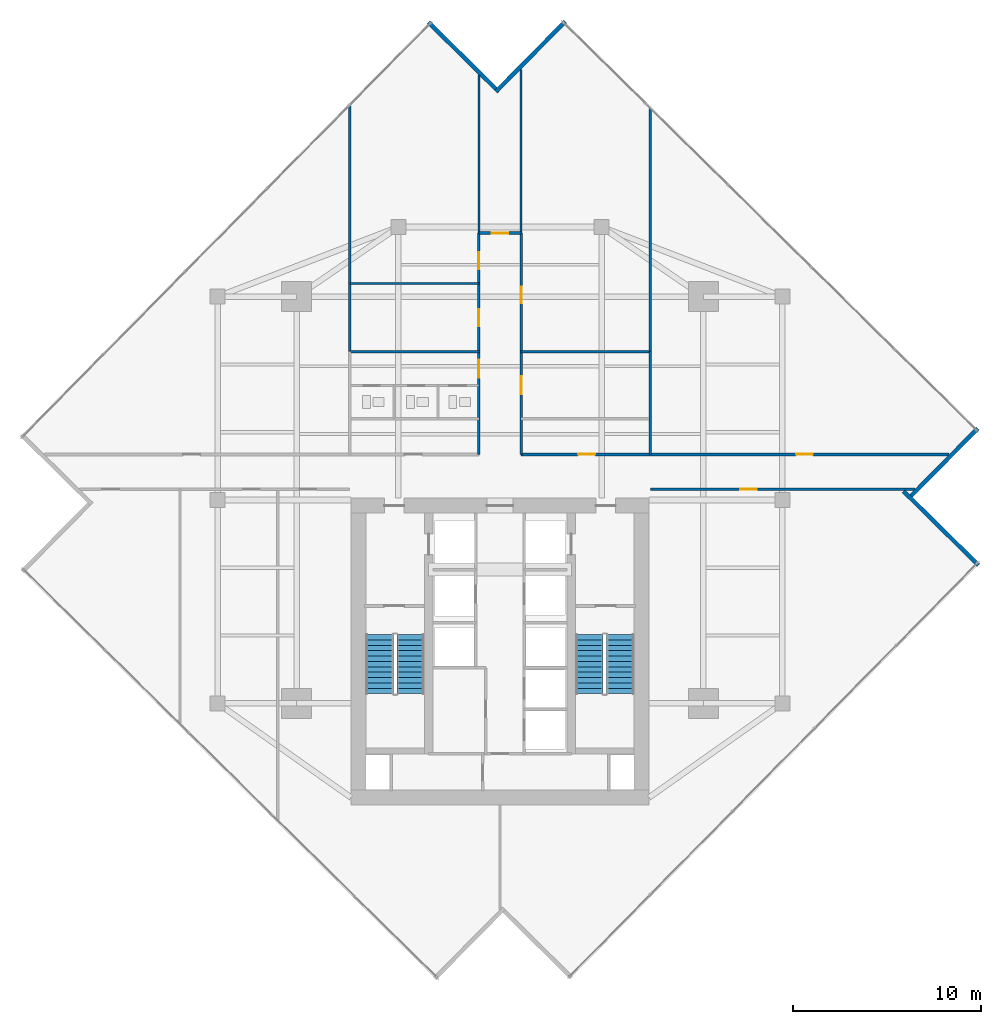
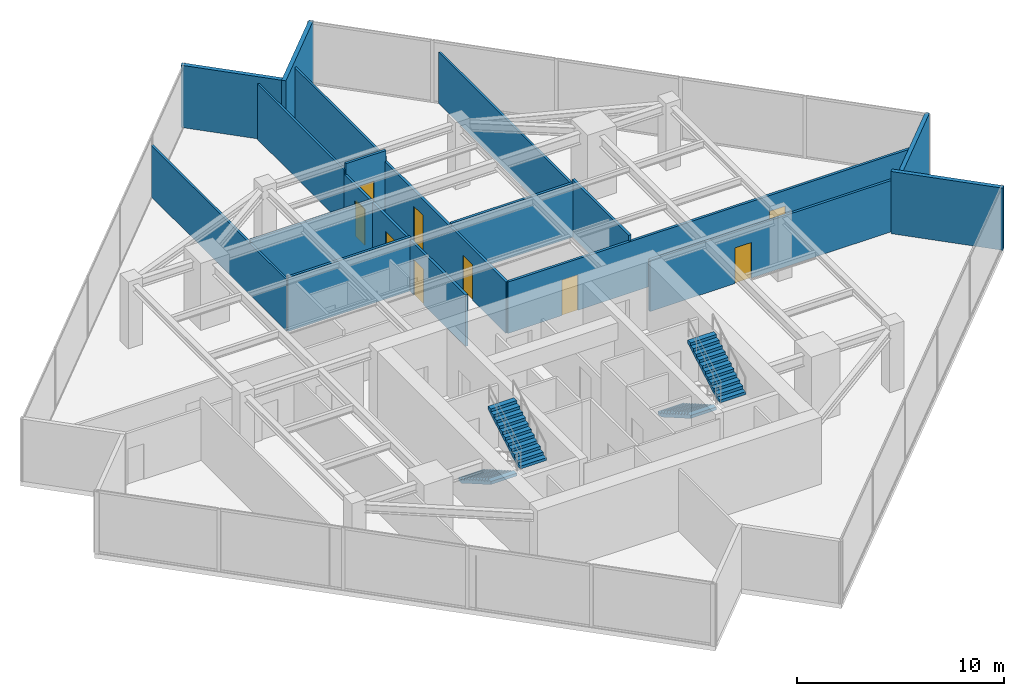
# One storey, part 22 of 24: 17 walls, 9 doors, 4 stair flights, 9 openings, 2 elements without a shape of their own.
"""IFC4 building model written with IfcOpenShell, lengths in metres."""

from ifc_helpers import new_model, si_unit, direction, frame, frame_2d, origin, place, context, subcontext, project, spatial, polyline, rectangle, outline, extrude, material, layer, layer_set, type_object, element, fill, aggregate, save


model = new_model("IFC4")

# Units and contexts
model_context = context("Model", 3, precision=1e-05, world=origin(), true_north=direction((0.0, 1.0)))
body_context = subcontext(model_context, "Body", "Model", "MODEL_VIEW")
ifc_project = project(units=[si_unit("LENGTHUNIT", "METRE"), si_unit("AREAUNIT", "SQUARE_METRE"), si_unit("VOLUMEUNIT", "CUBIC_METRE"), si_unit("PLANEANGLEUNIT", "RADIAN"), si_unit("MASSUNIT", "GRAM", prefix="KILO")], contexts=[model_context])

# Site, building, storey
site_placement = place(None, origin())
site = spatial("IfcSite", under=ifc_project, at=site_placement, CompositionType="ELEMENT")
building_placement = place(site_placement, origin())
building = spatial("IfcBuilding", under=site, at=building_placement, Name="Krantzveldt Concourse Tower", CompositionType="ELEMENT")
storey_placement = place(building_placement, frame((0.0, 0.0, 231.0)))
storey = spatial("IfcBuildingStorey", under=building, at=storey_placement, Name="L56", CompositionType="ELEMENT", Elevation=231.0)

# Walls
ifc_material_1 = material(Name="Anodised aluminium 6063-T6", Category="aluminium")
ifc_layer_1 = layer(ifc_material_1, 0.219970703125, Name="Anodised aluminium 6063-T6", Category="aluminium")
ifc_layer_set_1 = layer_set([ifc_layer_1], Name="Anodised aluminium 6063-T6 (WL-EXT-NOTCH220)")
wall_type_1 = type_object("IfcWallType", Name="WL-EXT-NOTCH220", PredefinedType="ELEMENTEDWALL", material=ifc_layer_set_1)
wall_1_placement = place(storey_placement, frame((35.779296875, 48.54150390625, 0.0), z_axis=(0.0, 0.0, 1.0), x_axis=(-0.711707198953, 0.70247623658, 0.0)))
element("IfcWall", 1, at=wall_1_placement, inside=storey, type_object=wall_type_1, Name="EW-L56-NCH00", PredefinedType="ELEMENTEDWALL", context=body_context, shape_type="SweptSolid", body=[
    extrude(rectangle(XDim=5.025146484375, YDim=0.219970703125, at=frame_2d((2.5126953125, 0.0))), origin(), (0.0, 0.0, 1.0), 3.669921875),
])
wall_2_placement = place(storey_placement, frame((61.4189453125, 23.2353515625, 0.0), z_axis=(0.0, 0.0, 1.0), x_axis=(-0.711721132709, 0.702462119446, 0.0)))
element("IfcWall", 2, at=wall_2_placement, inside=storey, type_object=wall_type_1, Name="EW-L56-NCH08", PredefinedType="ELEMENTEDWALL", context=body_context, shape_type="SweptSolid", body=[
    extrude(rectangle(XDim=5.590087890625, YDim=0.219970703125, at=frame_2d((2.794921875, 0.0))), origin(), (0.0, 0.0, 1.0), 3.669921875),
])
wall_3_placement = place(storey_placement, frame((57.841552734375, 26.920654296875, 0.0), z_axis=(0.0, 0.0, 1.0), x_axis=(0.702451626199, 0.711731489292, 0.0)))
element("IfcWall", 3, at=wall_3_placement, inside=storey, type_object=wall_type_1, Name="EW-L56-NCH09", PredefinedType="ELEMENTEDWALL", context=body_context, shape_type="SweptSolid", body=[
    extrude(rectangle(XDim=5.02490234375, YDim=0.219970703125, at=frame_2d((2.512451171875, 0.0))), origin(), (0.0, 0.0, 1.0), 3.669921875),
])
wall_4_placement = place(storey_placement, frame((39.464599609375, 52.118896484375, 0.0), z_axis=(0.0, 0.0, 1.0), x_axis=(-0.702460059039, -0.711723166305, 0.0)))
element("IfcWall", 4, at=wall_4_placement, inside=storey, type_object=wall_type_1, Name="EW-L56-NCH11", PredefinedType="ELEMENTEDWALL", context=body_context, shape_type="SweptSolid", body=[
    extrude(rectangle(XDim=5.244873046875, YDim=0.219970703125, at=frame_2d((2.62255859375, 0.0))), origin(), (0.0, 0.0, 1.0), 3.669921875),
])
ifc_material_2 = material(Name="Fire-rated gypsum plasterboard on steel stud", Category="steel")
ifc_layer_2 = layer(ifc_material_2, 0.1201171875, Name="Fire-rated gypsum plasterboard on steel stud", Category="steel")
ifc_layer_set_2 = layer_set([ifc_layer_2], Name="Fire-rated gypsum plasterboard on steel stud (WL-PART-120)")
wall_type_2 = type_object("IfcWallType", Name="WL-PART-120", PredefinedType="PARTITIONING", material=ifc_layer_set_2)
wall_5_placement = place(storey_placement, frame((34.8798828125, 40.8798828125, 0.0), z_axis=(0.0, 0.0, 1.0), x_axis=(0.0, 1.0, 0.0)))
element("IfcWall", 5, at=wall_5_placement, inside=storey, type_object=wall_type_2, Name="WP-L56-NTL", PredefinedType="PARTITIONING", context=body_context, shape_type="SweptSolid", body=[
    extrude(rectangle(XDim=8.3876953125, YDim=0.1201171875, at=frame_2d((4.19384765625, 0.0))), origin(), (0.0, 0.0, 1.0), 3.280029296875),
])
wall_6_placement = place(storey_placement, frame((37.1201171875, 40.8798828125, 0.0), z_axis=(0.0, 0.0, 1.0), x_axis=(0.0, 1.0, 0.0)))
element("IfcWall", 6, at=wall_6_placement, inside=storey, type_object=wall_type_2, Name="WP-L56-NTR", PredefinedType="PARTITIONING", context=body_context, shape_type="SweptSolid", body=[
    extrude(rectangle(XDim=8.69970703125, YDim=0.1201171875, at=frame_2d((4.349853515625, 0.0))), origin(), (0.0, 0.0, 1.0), 3.280029296875),
])
wall_7_placement = place(storey_placement, frame((28.02001953125, 34.580078125, 0.0), z_axis=(0.0, 0.0, 1.0), x_axis=(0.0, 1.0, 0.0)))
element("IfcWall", 7, at=wall_7_placement, inside=storey, type_object=wall_type_2, Name="WP-L56-ISWL2", PredefinedType="PARTITIONING", context=body_context, shape_type="SweptSolid", body=[
    extrude(rectangle(XDim=13.089599609375, YDim=0.1201171875, at=frame_2d((6.544921875, 0.0))), origin(), (0.0, 0.0, 1.0), 3.030029296875),
])
wall_8_placement = place(storey_placement, frame((43.97998046875, 34.580078125, 0.0), z_axis=(0.0, 0.0, 1.0), x_axis=(0.0, 1.0, 0.0)))
element("IfcWall", 8, at=wall_8_placement, inside=storey, type_object=wall_type_2, Name="WP-L56-ISER2", PredefinedType="PARTITIONING", context=body_context, shape_type="SweptSolid", body=[
    extrude(rectangle(XDim=12.920654296875, YDim=0.1201171875, at=frame_2d((6.46044921875, 0.0))), origin(), (0.0, 0.0, 1.0), 3.030029296875),
])
wall_9_placement = place(storey_placement, frame((28.02001953125, 38.199951171875, 0.0), z_axis=(0.0, 0.0, 1.0), x_axis=(1.0, 0.0, 0.0)))
element("IfcWall", 9, at=wall_9_placement, inside=storey, type_object=wall_type_2, Name="WP-L56-NWIY", PredefinedType="PARTITIONING", context=body_context, shape_type="SweptSolid", body=[
    extrude(rectangle(XDim=6.85986328125, YDim=0.1201171875, at=frame_2d((3.429931640625, 0.0))), origin(), (0.0, 0.0, 1.0), 3.179931640625),
])

# Wall, openings, doors
ifc_layer_3 = layer(ifc_material_2, 0.139892578125, Name="Fire-rated gypsum plasterboard on steel stud", Category="steel")
ifc_layer_set_3 = layer_set([ifc_layer_3], Name="Fire-rated gypsum plasterboard on steel stud (WL-PART-140)")
wall_type_3 = type_object("IfcWallType", Name="WL-PART-140", PredefinedType="PARTITIONING", material=ifc_layer_set_3)
wall_10_placement = place(storey_placement, frame((34.8798828125, 29.1201171875, 0.0), z_axis=(0.0, 0.0, 1.0), x_axis=(0.0, 1.0, 0.0)))
wall_10 = element("IfcWall", 10, at=wall_10_placement, inside=storey, type_object=wall_type_3, Name="WP-L56-SPWL", PredefinedType="PARTITIONING", context=body_context, shape_type="SweptSolid", body=[
    extrude(rectangle(XDim=11.759765625, YDim=0.139892578125, at=frame_2d((5.8798828125, 0.0))), origin(), (0.0, 0.0, 1.0), 3.030029296875),
])
opening_1_placement = place(wall_10_placement, frame((4.0849609375, 0.0, 0.0)))
opening_1 = element("IfcOpeningElement", 11, at=opening_1_placement, cuts=wall_10, Name="Opening D-IN095", PredefinedType="OPENING", context=body_context, shape_type="SweptSolid", body=[
    extrude(rectangle(XDim=0.949951171875, YDim=2.10009765625, at=frame_2d((0.47509765625, 1.050048828125))), frame((0.0, 0.080078125, 0.0), z_axis=(0.0, -1.0, 0.0), x_axis=(1.0, 0.0, 0.0)), (0.0, 0.0, 1.0), 0.159912109375),
])
opening_2_placement = place(wall_10_placement, frame((6.820068359375, 0.0, 0.0)))
opening_2 = element("IfcOpeningElement", 12, at=opening_2_placement, cuts=wall_10, Name="Opening D-IN090", PredefinedType="OPENING", context=body_context, shape_type="SweptSolid", body=[
    extrude(rectangle(XDim=0.89990234375, YDim=2.10009765625, at=frame_2d((0.449951171875, 1.050048828125))), frame((0.0, 0.080078125, 0.0), z_axis=(0.0, -1.0, 0.0), x_axis=(1.0, 0.0, 0.0)), (0.0, 0.0, 1.0), 0.159912109375),
])
opening_3_placement = place(wall_10_placement, frame((9.830078125, 0.0, 0.0)))
opening_3 = element("IfcOpeningElement", 13, at=opening_3_placement, cuts=wall_10, Name="Opening D-IN090", PredefinedType="OPENING", context=body_context, shape_type="SweptSolid", body=[
    extrude(rectangle(XDim=0.89990234375, YDim=2.10009765625, at=frame_2d((0.449951171875, 1.050048828125))), frame((0.0, 0.080078125, 0.0), z_axis=(0.0, -1.0, 0.0), x_axis=(1.0, 0.0, 0.0)), (0.0, 0.0, 1.0), 0.159912109375),
])
ifc_material_3 = material(Name="Hardwood timber", Category="wood")
door_type_1 = type_object("IfcDoorType", Name="DR-INT-900", OperationType="SINGLE_SWING_LEFT", PredefinedType="DOOR", material=ifc_material_3)
door_1_placement = place(opening_2_placement, origin())
door_1 = element("IfcDoor", 14, at=door_1_placement, inside=storey, type_object=door_type_1, Name="DR-L56-NWI1", OperationType="SINGLE_SWING_LEFT", OverallHeight=2.10009765625, OverallWidth=0.89990234375, PredefinedType="DOOR", context=body_context, shape_type="SweptSolid", body=[
    extrude(rectangle(XDim=0.89990234375, YDim=2.10009765625, at=frame_2d((0.449951171875, 1.050048828125))), frame((0.0, 0.02490234375, 0.0), z_axis=(0.0, -1.0, 0.0), x_axis=(1.0, 0.0, 0.0)), (0.0, 0.0, 1.0), 0.050048828125),
])
fill(opening_2, door_1)
door_2_placement = place(opening_3_placement, origin())
door_2 = element("IfcDoor", 15, at=door_2_placement, inside=storey, type_object=door_type_1, Name="DR-L56-NWI2", OperationType="SINGLE_SWING_LEFT", OverallHeight=2.10009765625, OverallWidth=0.89990234375, PredefinedType="DOOR", context=body_context, shape_type="SweptSolid", body=[
    extrude(rectangle(XDim=0.89990234375, YDim=2.10009765625, at=frame_2d((0.449951171875, 1.050048828125))), frame((0.0, 0.02490234375, 0.0), z_axis=(0.0, -1.0, 0.0), x_axis=(1.0, 0.0, 0.0)), (0.0, 0.0, 1.0), 0.050048828125),
])
fill(opening_3, door_2)
door_type_2 = type_object("IfcDoorType", Name="DR-INT-950", OperationType="SINGLE_SWING_LEFT", PredefinedType="DOOR", material=ifc_material_3)
door_3_placement = place(opening_1_placement, origin())
door_3 = element("IfcDoor", 16, at=door_3_placement, inside=storey, type_object=door_type_2, Name="DR-L56-WCLB", OperationType="SINGLE_SWING_LEFT", OverallHeight=2.10009765625, OverallWidth=0.949951171875, PredefinedType="DOOR", context=body_context, shape_type="SweptSolid", body=[
    extrude(rectangle(XDim=0.949951171875, YDim=2.10009765625, at=frame_2d((0.47509765625, 1.050048828125))), frame((0.0, 0.02490234375, 0.0), z_axis=(0.0, -1.0, 0.0), x_axis=(1.0, 0.0, 0.0)), (0.0, 0.0, 1.0), 0.050048828125),
])
fill(opening_1, door_3)

wall_11_placement = place(storey_placement, frame((37.1201171875, 29.1201171875, 0.0), z_axis=(0.0, 0.0, 1.0), x_axis=(0.0, 1.0, 0.0)))
wall_11 = element("IfcWall", 17, at=wall_11_placement, inside=storey, type_object=wall_type_3, Name="WP-L56-SPER", PredefinedType="PARTITIONING", context=body_context, shape_type="SweptSolid", body=[
    extrude(rectangle(XDim=11.759765625, YDim=0.139892578125, at=frame_2d((5.8798828125, 0.0))), origin(), (0.0, 0.0, 1.0), 3.030029296875),
])
opening_4_placement = place(wall_11_placement, frame((3.205078125, 0.0, 0.0)))
opening_4 = element("IfcOpeningElement", 18, at=opening_4_placement, cuts=wall_11, Name="Opening D-IN095", PredefinedType="OPENING", context=body_context, shape_type="SweptSolid", body=[
    extrude(rectangle(XDim=0.949951171875, YDim=2.10009765625, at=frame_2d((0.47509765625, 1.050048828125))), frame((0.0, 0.080078125, 0.0), z_axis=(0.0, -1.0, 0.0), x_axis=(1.0, 0.0, 0.0)), (0.0, 0.0, 1.0), 0.159912109375),
])
opening_5_placement = place(wall_11_placement, frame((8.02001953125, 0.0, 0.0)))
opening_5 = element("IfcOpeningElement", 19, at=opening_5_placement, cuts=wall_11, Name="Opening D-IN090", PredefinedType="OPENING", context=body_context, shape_type="SweptSolid", body=[
    extrude(rectangle(XDim=0.89990234375, YDim=2.10009765625, at=frame_2d((0.449951171875, 1.050048828125))), frame((0.0, 0.080078125, 0.0), z_axis=(0.0, -1.0, 0.0), x_axis=(1.0, 0.0, 0.0)), (0.0, 0.0, 1.0), 0.159912109375),
])
door_4_placement = place(opening_5_placement, origin())
door_4 = element("IfcDoor", 20, at=door_4_placement, inside=storey, type_object=door_type_1, Name="DR-L56-NEI1", OperationType="SINGLE_SWING_LEFT", OverallHeight=2.10009765625, OverallWidth=0.89990234375, PredefinedType="DOOR", context=body_context, shape_type="SweptSolid", body=[
    extrude(rectangle(XDim=0.89990234375, YDim=2.10009765625, at=frame_2d((0.449951171875, 1.050048828125))), frame((0.0, 0.02490234375, 0.0), z_axis=(0.0, -1.0, 0.0), x_axis=(1.0, 0.0, 0.0)), (0.0, 0.0, 1.0), 0.050048828125),
])
fill(opening_5, door_4)
door_5_placement = place(opening_4_placement, origin())
door_5 = element("IfcDoor", 21, at=door_5_placement, inside=storey, type_object=door_type_2, Name="DR-L56-PNT", OperationType="SINGLE_SWING_RIGHT", OverallHeight=2.10009765625, OverallWidth=0.949951171875, PredefinedType="DOOR", context=body_context, shape_type="SweptSolid", body=[
    extrude(rectangle(XDim=0.949951171875, YDim=2.10009765625, at=frame_2d((0.47509765625, 1.050048828125))), frame((0.0, 0.02490234375, 0.0), z_axis=(0.0, -1.0, 0.0), x_axis=(1.0, 0.0, 0.0)), (0.0, 0.0, 1.0), 0.050048828125),
])
fill(opening_4, door_5)

# Wall, opening, door
wall_12_placement = place(storey_placement, frame((34.8798828125, 40.8798828125, 0.0), z_axis=(0.0, 0.0, 1.0), x_axis=(1.0, 0.0, 0.0)))
wall_12 = element("IfcWall", 22, at=wall_12_placement, inside=storey, type_object=wall_type_3, Name="WP-L56-SPTOP", PredefinedType="PARTITIONING", context=body_context, shape_type="SweptSolid", body=[
    extrude(rectangle(XDim=2.240234375, YDim=0.139892578125, at=frame_2d((1.1201171875, 0.0))), origin(), (0.0, 0.0, 1.0), 3.669921875),
])
opening_6_placement = place(wall_12_placement, frame((0.669921875, 0.0, 0.0)))
opening_6 = element("IfcOpeningElement", 23, at=opening_6_placement, cuts=wall_12, Name="Opening D-IN090", PredefinedType="OPENING", context=body_context, shape_type="SweptSolid", body=[
    extrude(rectangle(XDim=0.89990234375, YDim=2.10009765625, at=frame_2d((0.449951171875, 1.050048828125))), frame((0.0, 0.080078125, 0.0), z_axis=(0.0, -1.0, 0.0), x_axis=(1.0, 0.0, 0.0)), (0.0, 0.0, 1.0), 0.159912109375),
])
door_6_placement = place(opening_6_placement, origin())
door_6 = element("IfcDoor", 24, at=door_6_placement, inside=storey, type_object=door_type_1, Name="DR-L56-NTOP", OperationType="SINGLE_SWING_LEFT", OverallHeight=2.10009765625, OverallWidth=0.89990234375, PredefinedType="DOOR", context=body_context, shape_type="SweptSolid", body=[
    extrude(rectangle(XDim=0.89990234375, YDim=2.10009765625, at=frame_2d((0.449951171875, 1.050048828125))), frame((0.0, 0.02490234375, 0.0), z_axis=(0.0, -1.0, 0.0), x_axis=(1.0, 0.0, 0.0)), (0.0, 0.0, 1.0), 0.050048828125),
])
fill(opening_6, door_6)

# Wall, openings, doors
wall_13_placement = place(storey_placement, frame((37.1201171875, 29.1201171875, 0.0), z_axis=(0.0, 0.0, 1.0), x_axis=(1.0, 0.0, 0.0)))
wall_13 = element("IfcWall", 25, at=wall_13_placement, inside=storey, type_object=wall_type_3, Name="WP-L56-EWNR", PredefinedType="PARTITIONING", context=body_context, shape_type="SweptSolid", body=[
    extrude(rectangle(XDim=22.73046875, YDim=0.139892578125, at=frame_2d((11.365234375, 0.0))), origin(), (0.0, 0.0, 1.0), 3.030029296875),
])
opening_7_placement = place(wall_13_placement, frame((3.030029296875, 0.0, 0.0)))
opening_7 = element("IfcOpeningElement", 26, at=opening_7_placement, cuts=wall_13, Name="Opening D-IN090", PredefinedType="OPENING", context=body_context, shape_type="SweptSolid", body=[
    extrude(rectangle(XDim=0.89990234375, YDim=2.10009765625, at=frame_2d((0.449951171875, 1.050048828125))), frame((0.0, 0.080078125, 0.0), z_axis=(0.0, -1.0, 0.0), x_axis=(1.0, 0.0, 0.0)), (0.0, 0.0, 1.0), 0.159912109375),
])
opening_8_placement = place(wall_13_placement, frame((14.60400390625, 0.0, 0.0)))
opening_8 = element("IfcOpeningElement", 27, at=opening_8_placement, cuts=wall_13, Name="Opening D-IN090", PredefinedType="OPENING", context=body_context, shape_type="SweptSolid", body=[
    extrude(rectangle(XDim=0.89990234375, YDim=2.10009765625, at=frame_2d((0.449951171875, 1.050048828125))), frame((0.0, 0.080078125, 0.0), z_axis=(0.0, -1.0, 0.0), x_axis=(1.0, 0.0, 0.0)), (0.0, 0.0, 1.0), 0.159912109375),
])
door_7_placement = place(opening_7_placement, origin())
door_7 = element("IfcDoor", 28, at=door_7_placement, inside=storey, type_object=door_type_1, Name="DR-L56-ALCR", OperationType="SINGLE_SWING_RIGHT", OverallHeight=2.10009765625, OverallWidth=0.89990234375, PredefinedType="DOOR", context=body_context, shape_type="SweptSolid", body=[
    extrude(rectangle(XDim=0.89990234375, YDim=2.10009765625, at=frame_2d((0.449951171875, 1.050048828125))), frame((0.0, 0.02490234375, 0.0), z_axis=(0.0, -1.0, 0.0), x_axis=(1.0, 0.0, 0.0)), (0.0, 0.0, 1.0), 0.050048828125),
])
fill(opening_7, door_7)
door_8_placement = place(opening_8_placement, origin())
door_8 = element("IfcDoor", 29, at=door_8_placement, inside=storey, type_object=door_type_1, Name="DR-L56-NEX1", OperationType="SINGLE_SWING_RIGHT", OverallHeight=2.10009765625, OverallWidth=0.89990234375, PredefinedType="DOOR", context=body_context, shape_type="SweptSolid", body=[
    extrude(rectangle(XDim=0.89990234375, YDim=2.10009765625, at=frame_2d((0.449951171875, 1.050048828125))), frame((0.0, 0.02490234375, 0.0), z_axis=(0.0, -1.0, 0.0), x_axis=(1.0, 0.0, 0.0)), (0.0, 0.0, 1.0), 0.050048828125),
])
fill(opening_8, door_8)

# Wall, opening, door
wall_14_placement = place(storey_placement, frame((44.0, 27.280029296875, 0.0), z_axis=(0.0, 0.0, 1.0), x_axis=(1.0, 0.0, 0.0)))
wall_14 = element("IfcWall", 30, at=wall_14_placement, inside=storey, type_object=wall_type_3, Name="WP-L56-EWSR", PredefinedType="PARTITIONING", context=body_context, shape_type="SweptSolid", body=[
    extrude(rectangle(XDim=14.03466796875, YDim=0.139892578125, at=frame_2d((7.017333984375, 0.0))), origin(), (0.0, 0.0, 1.0), 3.030029296875),
])
opening_9_placement = place(wall_14_placement, frame((4.75, 0.0, 0.0)))
opening_9 = element("IfcOpeningElement", 31, at=opening_9_placement, cuts=wall_14, Name="Opening D-IN090", PredefinedType="OPENING", context=body_context, shape_type="SweptSolid", body=[
    extrude(rectangle(XDim=0.89990234375, YDim=2.10009765625, at=frame_2d((0.449951171875, 1.050048828125))), frame((0.0, 0.080078125, 0.0), z_axis=(0.0, -1.0, 0.0), x_axis=(1.0, 0.0, 0.0)), (0.0, 0.0, 1.0), 0.159912109375),
])
door_9_placement = place(opening_9_placement, origin())
door_9 = element("IfcDoor", 32, at=door_9_placement, inside=storey, type_object=door_type_1, Name="DR-L56-SEX1", OperationType="SINGLE_SWING_RIGHT", OverallHeight=2.10009765625, OverallWidth=0.89990234375, PredefinedType="DOOR", context=body_context, shape_type="SweptSolid", body=[
    extrude(rectangle(XDim=0.89990234375, YDim=2.10009765625, at=frame_2d((0.449951171875, 1.050048828125))), frame((0.0, 0.02490234375, 0.0), z_axis=(0.0, -1.0, 0.0), x_axis=(1.0, 0.0, 0.0)), (0.0, 0.0, 1.0), 0.050048828125),
])
fill(opening_9, door_9)

# Walls
for number, where, z_axis, x_axis, name in (
    (33, (28.02001953125, 34.580078125, 0.0), (0.0, 0.0, 1.0), (1.0, 0.0, 0.0), "WP-L56-ISNL"),
    (34, (37.1201171875, 34.580078125, 0.0), (0.0, 0.0, 1.0), (1.0, 0.0, 0.0), "WP-L56-ISNR"),
):
    element("IfcWall", number, at=place(storey_placement, frame(where, z_axis=z_axis, x_axis=x_axis)), inside=storey, type_object=wall_type_3, Name=name, PredefinedType="PARTITIONING", context=body_context, shape_type="SweptSolid", body=[
        extrude(rectangle(XDim=6.85986328125, YDim=0.139892578125, at=frame_2d((3.429931640625, 0.0))), origin(), (0.0, 0.0, 1.0), 3.179931640625),
    ])
wall_15_placement = place(storey_placement, frame((43.97998046875, 29.1201171875, 0.0), z_axis=(0.0, 0.0, 1.0), x_axis=(0.0, 1.0, 0.0)))
element("IfcWall", 35, at=wall_15_placement, inside=storey, type_object=wall_type_3, Name="WP-L56-ISER", PredefinedType="PARTITIONING", context=body_context, shape_type="SweptSolid", body=[
    extrude(rectangle(XDim=5.4599609375, YDim=0.139892578125, at=frame_2d((2.72998046875, 0.0))), origin(), (0.0, 0.0, 1.0), 3.3701171875),
])

# Stair, stair flights
ifc_material_4 = material(Name="Precast concrete C40/50", Category="concrete")
stair_type = type_object("IfcStairType", Name="STR-CORE-DOGLEG", PredefinedType="HALF_TURN_STAIR", material=ifc_material_4)
stair_1_placement = place(storey_placement, origin())
stair_1 = element("IfcStair", 36, at=stair_1_placement, inside=storey, type_object=stair_type, Name="L56 Protected Escape Stair ST-1", PredefinedType="HALF_TURN_STAIR")
stair_flight_type = type_object("IfcStairFlightType", Name="STF-CORE-1450", PredefinedType="STRAIGHT", material=ifc_material_4)
stair_flight_1_placement = place(storey_placement, frame((29.60498046875, 19.550048828125, 0.0), z_axis=(0.0, 0.0, 1.0), x_axis=(0.0, -1.0, 0.0)))
stair_flight_1 = element("IfcStairFlight", 37, at=stair_flight_1_placement, type_object=stair_flight_type, Name="ST-1 flight 1", NumberOfRisers=12, NumberOfTreads=11, PredefinedType="STRAIGHT", RiserHeight=0.164583333, TreadLength=0.285, context=body_context, shape_type="SweptSolid", body=[
    extrude(outline(polyline([(0.0, 0.0), (0.0, 0.16455078125), (0.284912109375, 0.16455078125), (0.284912109375, 0.3291015625), (0.570068359375, 0.3291015625), (0.570068359375, 0.49365234375), (0.85498046875, 0.49365234375), (0.85498046875, 0.658447265625), (1.139892578125, 0.658447265625), (1.139892578125, 0.822998046875), (1.425048828125, 0.822998046875), (1.425048828125, 0.987548828125), (1.7099609375, 0.987548828125), (1.7099609375, 1.152099609375), (1.9951171875, 1.152099609375), (1.9951171875, 1.316650390625), (2.280029296875, 1.316650390625), (2.280029296875, 1.481201171875), (2.56494140625, 1.481201171875), (2.56494140625, 1.645751953125), (2.85009765625, 1.645751953125), (2.85009765625, 1.810302734375), (3.135009765625, 1.810302734375), (3.135009765625, 1.97509765625), (3.135009765625, 1.63720703125), (0.2998046875, 0.0), (0.0, 0.0)])), frame((0.0, 0.72509765625, 0.0), z_axis=(0.0, -1.0, 0.0), x_axis=(1.0, 0.0, 0.0)), (0.0, 0.0, 1.0), 1.449951171875),
])
stair_flight_2_placement = place(storey_placement, frame((31.2548828125, 16.4150390625, 1.97509765625), z_axis=(0.0, 0.0, 1.0), x_axis=(0.0, 1.0, 0.0)))
stair_flight_2 = element("IfcStairFlight", 38, at=stair_flight_2_placement, type_object=stair_flight_type, Name="ST-1 flight 2", NumberOfRisers=12, NumberOfTreads=11, PredefinedType="STRAIGHT", RiserHeight=0.164583333, TreadLength=0.285, context=body_context, shape_type="SweptSolid", body=[
    extrude(outline(polyline([(0.0, 0.0), (0.0, 0.16455078125), (0.284912109375, 0.16455078125), (0.284912109375, 0.3291015625), (0.570068359375, 0.3291015625), (0.570068359375, 0.49365234375), (0.85498046875, 0.49365234375), (0.85498046875, 0.658447265625), (1.139892578125, 0.658447265625), (1.139892578125, 0.822998046875), (1.425048828125, 0.822998046875), (1.425048828125, 0.987548828125), (1.7099609375, 0.987548828125), (1.7099609375, 1.152099609375), (1.9951171875, 1.152099609375), (1.9951171875, 1.316650390625), (2.280029296875, 1.316650390625), (2.280029296875, 1.481201171875), (2.56494140625, 1.481201171875), (2.56494140625, 1.645751953125), (2.85009765625, 1.645751953125), (2.85009765625, 1.810302734375), (3.135009765625, 1.810302734375), (3.135009765625, 1.97509765625), (3.135009765625, 1.63720703125), (0.2998046875, 0.0), (0.0, 0.0)])), frame((0.0, 0.72509765625, 0.0), z_axis=(0.0, -1.0, 0.0), x_axis=(1.0, 0.0, 0.0)), (0.0, 0.0, 1.0), 1.449951171875),
])
aggregate(stair_1, [stair_flight_1, stair_flight_2])

stair_2_placement = place(storey_placement, origin())
stair_2 = element("IfcStair", 39, at=stair_2_placement, inside=storey, type_object=stair_type, Name="L56 Protected Escape Stair ST-2", PredefinedType="HALF_TURN_STAIR")
stair_flight_3_placement = place(storey_placement, frame((40.7451171875, 19.550048828125, 0.0), z_axis=(0.0, 0.0, 1.0), x_axis=(0.0, -1.0, 0.0)))
stair_flight_3 = element("IfcStairFlight", 40, at=stair_flight_3_placement, type_object=stair_flight_type, Name="ST-2 flight 1", NumberOfRisers=12, NumberOfTreads=11, PredefinedType="STRAIGHT", RiserHeight=0.164583333, TreadLength=0.285, context=body_context, shape_type="SweptSolid", body=[
    extrude(outline(polyline([(0.0, 0.0), (0.0, 0.16455078125), (0.284912109375, 0.16455078125), (0.284912109375, 0.3291015625), (0.570068359375, 0.3291015625), (0.570068359375, 0.49365234375), (0.85498046875, 0.49365234375), (0.85498046875, 0.658447265625), (1.139892578125, 0.658447265625), (1.139892578125, 0.822998046875), (1.425048828125, 0.822998046875), (1.425048828125, 0.987548828125), (1.7099609375, 0.987548828125), (1.7099609375, 1.152099609375), (1.9951171875, 1.152099609375), (1.9951171875, 1.316650390625), (2.280029296875, 1.316650390625), (2.280029296875, 1.481201171875), (2.56494140625, 1.481201171875), (2.56494140625, 1.645751953125), (2.85009765625, 1.645751953125), (2.85009765625, 1.810302734375), (3.135009765625, 1.810302734375), (3.135009765625, 1.97509765625), (3.135009765625, 1.63720703125), (0.2998046875, 0.0), (0.0, 0.0)])), frame((0.0, 0.72509765625, 0.0), z_axis=(0.0, -1.0, 0.0), x_axis=(1.0, 0.0, 0.0)), (0.0, 0.0, 1.0), 1.449951171875),
])
stair_flight_4_placement = place(storey_placement, frame((42.39501953125, 16.4150390625, 1.97509765625), z_axis=(0.0, 0.0, 1.0), x_axis=(0.0, 1.0, 0.0)))
stair_flight_4 = element("IfcStairFlight", 41, at=stair_flight_4_placement, type_object=stair_flight_type, Name="ST-2 flight 2", NumberOfRisers=12, NumberOfTreads=11, PredefinedType="STRAIGHT", RiserHeight=0.164583333, TreadLength=0.285, context=body_context, shape_type="SweptSolid", body=[
    extrude(outline(polyline([(0.0, 0.0), (0.0, 0.16455078125), (0.284912109375, 0.16455078125), (0.284912109375, 0.3291015625), (0.570068359375, 0.3291015625), (0.570068359375, 0.49365234375), (0.85498046875, 0.49365234375), (0.85498046875, 0.658447265625), (1.139892578125, 0.658447265625), (1.139892578125, 0.822998046875), (1.425048828125, 0.822998046875), (1.425048828125, 0.987548828125), (1.7099609375, 0.987548828125), (1.7099609375, 1.152099609375), (1.9951171875, 1.152099609375), (1.9951171875, 1.316650390625), (2.280029296875, 1.316650390625), (2.280029296875, 1.481201171875), (2.56494140625, 1.481201171875), (2.56494140625, 1.645751953125), (2.85009765625, 1.645751953125), (2.85009765625, 1.810302734375), (3.135009765625, 1.810302734375), (3.135009765625, 1.97509765625), (3.135009765625, 1.63720703125), (0.2998046875, 0.0), (0.0, 0.0)])), frame((0.0, 0.72509765625, 0.0), z_axis=(0.0, -1.0, 0.0), x_axis=(1.0, 0.0, 0.0)), (0.0, 0.0, 1.0), 1.449951171875),
])
aggregate(stair_2, [stair_flight_3, stair_flight_4])

save(model, "model.ifc")
